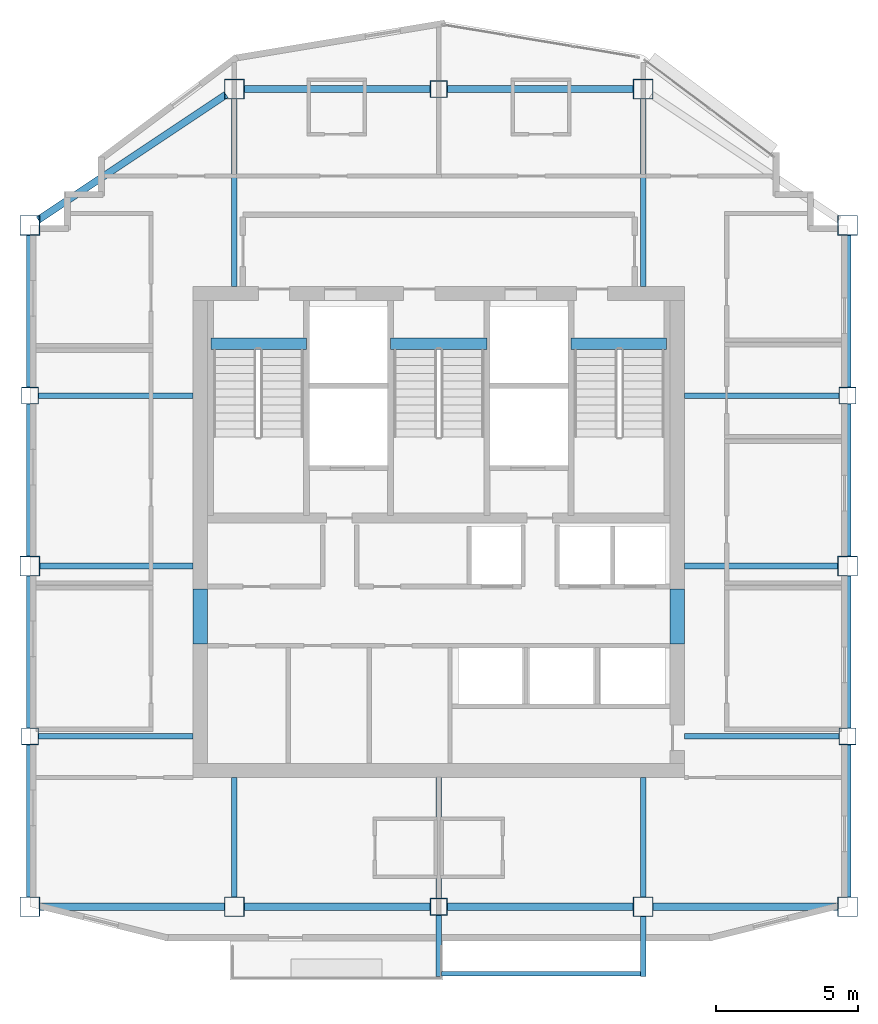
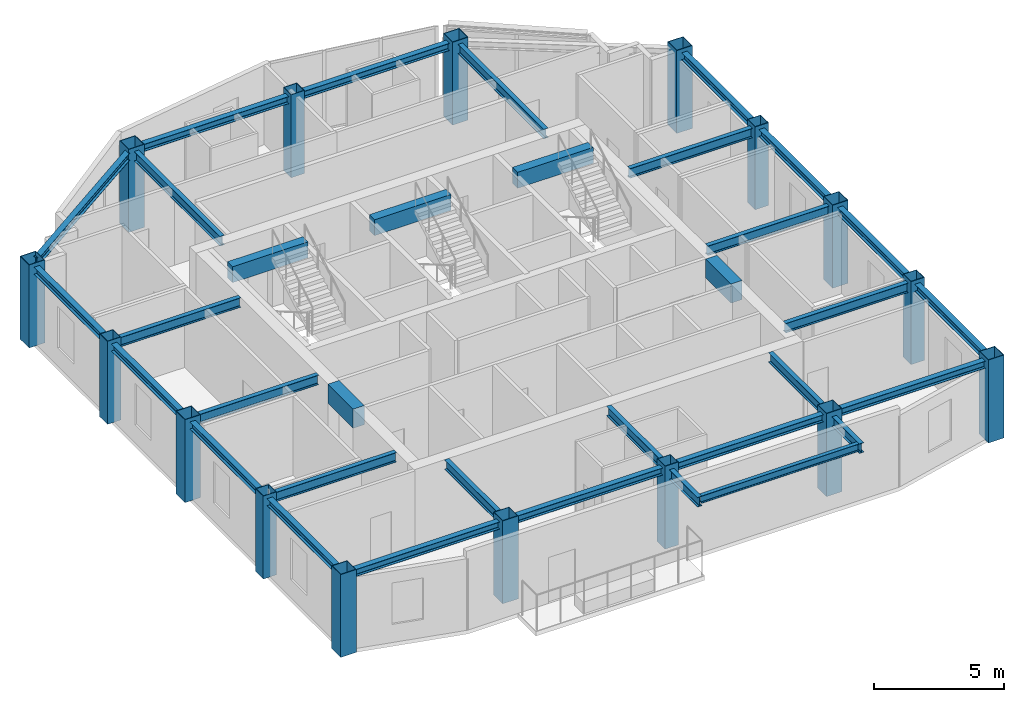
# One storey, part 1 of 9: 34 beams, 16 columns.
"""IFC4 building model written with IfcOpenShell, lengths in metres."""

from ifc_helpers import new_model, si_unit, direction, frame, origin, origin_2d, place, context, subcontext, project, spatial, rectangle, hollow_rectangle, i_section, extrude, material, material_profile, profile_set, type_object, element, save


model = new_model("IFC4")

# Units and contexts
model_context = context("Model", 3, precision=1e-05, world=origin(), true_north=direction((0.0, 1.0)))
body_context = subcontext(model_context, "Body", "Model", "MODEL_VIEW")
ifc_project = project(units=[si_unit("LENGTHUNIT", "METRE"), si_unit("AREAUNIT", "SQUARE_METRE"), si_unit("VOLUMEUNIT", "CUBIC_METRE"), si_unit("PLANEANGLEUNIT", "RADIAN"), si_unit("MASSUNIT", "GRAM", prefix="KILO")], contexts=[model_context])

# Site, building, storey
site_placement = place(None, origin())
site = spatial("IfcSite", under=ifc_project, at=site_placement, CompositionType="ELEMENT")
building_placement = place(site_placement, origin())
building = spatial("IfcBuilding", under=site, at=building_placement, Name="Haolan Belvedere Tower", CompositionType="ELEMENT")
storey_placement = place(building_placement, frame((0.0, 0.0, 290.0)))
storey = spatial("IfcBuildingStorey", under=building, at=storey_placement, Name="L73", CompositionType="ELEMENT", Elevation=290.0)

# Columns
ifc_material_1 = material(Name="Steel Q390GJC", Category="steel")
ifc_material_profile_1 = material_profile(ifc_material_1, hollow_rectangle(XDim=0.60009765625, YDim=0.60009765625, WallThickness=0.02392578125, at=origin_2d()), Name="Steel Q390GJC")
ifc_profile_set_1 = profile_set([ifc_material_profile_1], Name="Steel Q390GJC")
column_type_1 = type_object("IfcColumnType", Name="COL-BOX600x600x24", PredefinedType="COLUMN", material=ifc_profile_set_1)
for number, where, z_axis, x_axis, name in (
    (1, (24.0, 27.60009765625, 0.0), (0.0, 0.0, 1.0), (1.0, 0.0, 0.0), "L73 column TC-T3-W1 (BOX600x600x24)"),
    (2, (24.0, 39.60009765625, 0.0), (0.0, 0.0, 1.0), (1.0, 0.0, 0.0), "L73 column TC-T3-W2 (BOX600x600x24)"),
    (3, (52.800048828125, 27.60009765625, 0.0), (0.0, 0.0, 1.0), (1.0, 0.0, 0.0), "L73 column TC-T3-E1 (BOX600x600x24)"),
    (4, (52.800048828125, 39.60009765625, 0.0), (0.0, 0.0, 1.0), (1.0, 0.0, 0.0), "L73 column TC-T3-E2 (BOX600x600x24)"),
    (5, (38.39990234375, 21.60009765625, 0.0), (0.0, 0.0, 1.0), (1.0, 0.0, 0.0), "L73 column TC-T3-SM (BOX600x600x24)"),
    (6, (38.39990234375, 50.39990234375, 0.0), (0.0, 0.0, 1.0), (1.0, 0.0, 0.0), "L73 column TC-T3-NM (BOX600x600x24)"),
):
    element("IfcColumn", number, at=place(storey_placement, frame(where, z_axis=z_axis, x_axis=x_axis)), inside=storey, type_object=column_type_1, Name=name, PredefinedType="COLUMN", context=body_context, shape_type="SweptSolid", body=[
        extrude(hollow_rectangle(XDim=0.60009765625, YDim=0.60009765625, WallThickness=0.02392578125, at=origin_2d()), origin(), (0.0, 0.0, 1.0), 3.89990234375),
    ])
ifc_material_profile_2 = material_profile(ifc_material_1, hollow_rectangle(XDim=0.699951171875, YDim=0.699951171875, WallThickness=0.02587890625, at=origin_2d()), Name="Steel Q390GJC")
ifc_profile_set_2 = profile_set([ifc_material_profile_2], Name="Steel Q390GJC")
column_type_2 = type_object("IfcColumnType", Name="COL-BOX700x700x26", PredefinedType="COLUMN", material=ifc_profile_set_2)
for number, where, z_axis, x_axis, name in (
    (7, (24.0, 21.60009765625, 0.0), (0.0, 0.0, 1.0), (1.0, 0.0, 0.0), "L73 column MC-T3-SW (BOX700x700x26)"),
    (8, (24.0, 33.60009765625, 0.0), (0.0, 0.0, 1.0), (1.0, 0.0, 0.0), "L73 column MC-T3-MW (BOX700x700x26)"),
    (9, (24.0, 45.60009765625, 0.0), (0.0, 0.0, 1.0), (1.0, 0.0, 0.0), "L73 column MC-T3-NW (BOX700x700x26)"),
    (10, (52.800048828125, 21.60009765625, 0.0), (0.0, 0.0, 1.0), (1.0, 0.0, 0.0), "L73 column MC-T3-SE (BOX700x700x26)"),
    (11, (52.800048828125, 33.60009765625, 0.0), (0.0, 0.0, 1.0), (1.0, 0.0, 0.0), "L73 column MC-T3-ME (BOX700x700x26)"),
    (12, (52.800048828125, 45.60009765625, 0.0), (0.0, 0.0, 1.0), (1.0, 0.0, 0.0), "L73 column MC-T3-NE (BOX700x700x26)"),
    (13, (31.199951171875, 21.60009765625, 0.0), (0.0, 0.0, 1.0), (1.0, 0.0, 0.0), "L73 column MC-T3-S1 (BOX700x700x26)"),
    (14, (45.60009765625, 21.60009765625, 0.0), (0.0, 0.0, 1.0), (1.0, 0.0, 0.0), "L73 column MC-T3-S2 (BOX700x700x26)"),
    (15, (31.199951171875, 50.39990234375, 0.0), (0.0, 0.0, 1.0), (1.0, 0.0, 0.0), "L73 column MC-T3-N1 (BOX700x700x26)"),
    (16, (45.60009765625, 50.39990234375, 0.0), (0.0, 0.0, 1.0), (1.0, 0.0, 0.0), "L73 column MC-T3-N2 (BOX700x700x26)"),
):
    element("IfcColumn", number, at=place(storey_placement, frame(where, z_axis=z_axis, x_axis=x_axis)), inside=storey, type_object=column_type_2, Name=name, PredefinedType="COLUMN", context=body_context, shape_type="SweptSolid", body=[
        extrude(hollow_rectangle(XDim=0.699951171875, YDim=0.699951171875, WallThickness=0.02587890625, at=origin_2d()), origin(), (0.0, 0.0, 1.0), 3.89990234375),
    ])

# Beams
ifc_material_2 = material(Name="Steel Q355B", Category="steel")
ifc_material_profile_3 = material_profile(ifc_material_2, i_section(OverallWidth=0.25, OverallDepth=0.340087890625, WebThickness=0.009033203125, FlangeThickness=0.013916015625, FilletRadius=0.02001953125, at=origin_2d()), Name="Steel Q355B")
ifc_profile_set_3 = profile_set([ifc_material_profile_3], Name="Steel Q355B")
beam_type_1 = type_object("IfcBeamType", Name="BM-HM340x250x9x14", PredefinedType="SPANDREL", material=ifc_profile_set_3)
for number, where, z_axis, x_axis, name in (
    (17, (24.0, 21.949951171875, 3.550048828125), (0.0, 1.0, 0.0), (-1.0, 0.0, 0.0), "L73 spandrel girder MC-T3-SW-TC-T3-W1"),
    (18, (24.0, 27.89990234375, 3.550048828125), (0.0, 1.0, 0.0), (-1.0, 0.0, 0.0), "L73 spandrel girder TC-T3-W1-MC-T3-MW"),
    (19, (24.0, 33.949951171875, 3.550048828125), (0.0, 1.0, 0.0), (-1.0, 0.0, 0.0), "L73 spandrel girder MC-T3-MW-TC-T3-W2"),
    (20, (24.0, 39.89990234375, 3.550048828125), (0.0, 1.0, 0.0), (-1.0, 0.0, 0.0), "L73 spandrel girder TC-T3-W2-MC-T3-NW"),
    (21, (52.800048828125, 21.949951171875, 3.550048828125), (0.0, 1.0, 0.0), (-1.0, 0.0, 0.0), "L73 spandrel girder MC-T3-SE-TC-T3-E1"),
    (22, (52.800048828125, 27.89990234375, 3.550048828125), (0.0, 1.0, 0.0), (-1.0, 0.0, 0.0), "L73 spandrel girder TC-T3-E1-MC-T3-ME"),
    (23, (52.800048828125, 33.949951171875, 3.550048828125), (0.0, 1.0, 0.0), (-1.0, 0.0, 0.0), "L73 spandrel girder MC-T3-ME-TC-T3-E2"),
    (24, (52.800048828125, 39.89990234375, 3.550048828125), (0.0, 1.0, 0.0), (-1.0, 0.0, 0.0), "L73 spandrel girder TC-T3-E2-MC-T3-NE"),
):
    element("IfcBeam", number, at=place(storey_placement, frame(where, z_axis=z_axis, x_axis=x_axis)), inside=storey, type_object=beam_type_1, Name=name, PredefinedType="SPANDREL", context=body_context, shape_type="SweptSolid", body=[
        extrude(i_section(OverallWidth=0.25, OverallDepth=0.340087890625, WebThickness=0.009033203125, FlangeThickness=0.013916015625, FilletRadius=0.02001953125, at=origin_2d()), origin(), (0.0, 0.0, 1.0), 5.35009765625),
    ])
beam_1_placement = place(storey_placement, frame((24.35009765625, 21.60009765625, 3.550048828125), z_axis=(1.0, 0.0, 0.0), x_axis=(0.0, 1.0, 0.0)))
element("IfcBeam", 25, at=beam_1_placement, inside=storey, type_object=beam_type_1, Name="L73 spandrel girder MC-T3-SW-MC-T3-S1", PredefinedType="SPANDREL", context=body_context, shape_type="SweptSolid", body=[
    extrude(i_section(OverallWidth=0.25, OverallDepth=0.340087890625, WebThickness=0.009033203125, FlangeThickness=0.013916015625, FilletRadius=0.02001953125, at=origin_2d()), origin(), (0.0, 0.0, 1.0), 6.5),
])
for number, where, z_axis, x_axis, name in (
    (26, (31.550048828125, 21.60009765625, 3.550048828125), (1.0, 0.0, 0.0), (0.0, 1.0, 0.0), "L73 spandrel girder MC-T3-S1-TC-T3-SM"),
    (27, (38.699951171875, 21.60009765625, 3.550048828125), (1.0, 0.0, 0.0), (0.0, 1.0, 0.0), "L73 spandrel girder TC-T3-SM-MC-T3-S2"),
):
    element("IfcBeam", number, at=place(storey_placement, frame(where, z_axis=z_axis, x_axis=x_axis)), inside=storey, type_object=beam_type_1, Name=name, PredefinedType="SPANDREL", context=body_context, shape_type="SweptSolid", body=[
        extrude(i_section(OverallWidth=0.25, OverallDepth=0.340087890625, WebThickness=0.009033203125, FlangeThickness=0.013916015625, FilletRadius=0.02001953125, at=origin_2d()), origin(), (0.0, 0.0, 1.0), 6.550048828125),
    ])
beam_2_placement = place(storey_placement, frame((45.949951171875, 21.60009765625, 3.550048828125), z_axis=(1.0, 0.0, 0.0), x_axis=(0.0, 1.0, 0.0)))
element("IfcBeam", 28, at=beam_2_placement, inside=storey, type_object=beam_type_1, Name="L73 spandrel girder MC-T3-S2-MC-T3-SE", PredefinedType="SPANDREL", context=body_context, shape_type="SweptSolid", body=[
    extrude(i_section(OverallWidth=0.25, OverallDepth=0.340087890625, WebThickness=0.009033203125, FlangeThickness=0.013916015625, FilletRadius=0.02001953125, at=origin_2d()), origin(), (0.0, 0.0, 1.0), 6.5),
])
beam_3_placement = place(storey_placement, frame((24.291259765625, 45.794189453125, 3.550048828125), z_axis=(0.832050294338, 0.554700196225, 0.0), x_axis=(-0.554700196225, 0.832050294338, 0.0)))
element("IfcBeam", 29, at=beam_3_placement, inside=storey, type_object=beam_type_1, Name="L73 spandrel girder MC-T3-NW-MC-T3-N1", PredefinedType="SPANDREL", context=body_context, shape_type="SweptSolid", body=[
    extrude(i_section(OverallWidth=0.25, OverallDepth=0.340087890625, WebThickness=0.009033203125, FlangeThickness=0.013916015625, FilletRadius=0.02001953125, at=origin_2d()), origin(), (0.0, 0.0, 1.0), 7.953125),
])
for number, where, z_axis, x_axis, name in (
    (30, (31.550048828125, 50.39990234375, 3.550048828125), (1.0, 0.0, 0.0), (0.0, 1.0, 0.0), "L73 spandrel girder MC-T3-N1-TC-T3-NM"),
    (31, (38.699951171875, 50.39990234375, 3.550048828125), (1.0, 0.0, 0.0), (0.0, 1.0, 0.0), "L73 spandrel girder TC-T3-NM-MC-T3-N2"),
):
    element("IfcBeam", number, at=place(storey_placement, frame(where, z_axis=z_axis, x_axis=x_axis)), inside=storey, type_object=beam_type_1, Name=name, PredefinedType="SPANDREL", context=body_context, shape_type="SweptSolid", body=[
        extrude(i_section(OverallWidth=0.25, OverallDepth=0.340087890625, WebThickness=0.009033203125, FlangeThickness=0.013916015625, FilletRadius=0.02001953125, at=origin_2d()), origin(), (0.0, 0.0, 1.0), 6.550048828125),
    ])
ifc_material_profile_4 = material_profile(ifc_material_2, i_section(OverallWidth=0.175048828125, OverallDepth=0.35009765625, WebThickness=0.007080078125, FlangeThickness=0.010986328125, FilletRadius=0.012939453125, at=origin_2d()), Name="Steel Q355B")
ifc_profile_set_4 = profile_set([ifc_material_profile_4], Name="Steel Q355B")
beam_type_2 = type_object("IfcBeamType", Name="BM-HN350x175x7x11", PredefinedType="JOIST", material=ifc_profile_set_4)
beam_4_placement = place(storey_placement, frame((38.5, 19.239990234375, 3.4951171875), z_axis=(1.0, 0.0, 0.0), x_axis=(0.0, 1.0, 0.0)))
element("IfcBeam", 32, at=beam_4_placement, inside=storey, type_object=beam_type_2, Name="L74 tree-balcony front trimmer beam 1", PredefinedType="BEAM", context=body_context, shape_type="SweptSolid", body=[
    extrude(i_section(OverallWidth=0.175048828125, OverallDepth=0.35009765625, WebThickness=0.007080078125, FlangeThickness=0.010986328125, FilletRadius=0.012939453125, at=origin_2d()), origin(), (0.0, 0.0, 1.0), 7.0),
])
ifc_material_profile_5 = material_profile(ifc_material_2, i_section(OverallWidth=0.199951171875, OverallDepth=0.449951171875, WebThickness=0.009033203125, FlangeThickness=0.013916015625, FilletRadius=0.01611328125, at=origin_2d()), Name="Steel Q355B")
ifc_profile_set_5 = profile_set([ifc_material_profile_5], Name="Steel Q355B")
beam_type_3 = type_object("IfcBeamType", Name="BM-HN450x200x9x14", PredefinedType="BEAM", material=ifc_profile_set_5)
beam_5_placement = place(storey_placement, frame((24.35009765625, 33.60009765625, 3.4951171875), z_axis=(1.0, 0.0, 0.0), x_axis=(0.0, 1.0, 0.0)))
element("IfcBeam", 33, at=beam_5_placement, inside=storey, type_object=beam_type_3, Name="L73 core tie beam from MC-T3-MW", PredefinedType="BEAM", context=body_context, shape_type="SweptSolid", body=[
    extrude(i_section(OverallWidth=0.199951171875, OverallDepth=0.449951171875, WebThickness=0.009033203125, FlangeThickness=0.013916015625, FilletRadius=0.01611328125, at=origin_2d()), origin(), (0.0, 0.0, 1.0), 5.39990234375),
])
for number, where, z_axis, x_axis, name in (
    (34, (24.300048828125, 27.60009765625, 3.4951171875), (1.0, 0.0, 0.0), (0.0, 1.0, 0.0), "L73 core tie beam from TC-T3-W1"),
    (35, (24.300048828125, 39.60009765625, 3.4951171875), (1.0, 0.0, 0.0), (0.0, 1.0, 0.0), "L73 core tie beam from TC-T3-W2"),
):
    element("IfcBeam", number, at=place(storey_placement, frame(where, z_axis=z_axis, x_axis=x_axis)), inside=storey, type_object=beam_type_3, Name=name, PredefinedType="BEAM", context=body_context, shape_type="SweptSolid", body=[
        extrude(i_section(OverallWidth=0.199951171875, OverallDepth=0.449951171875, WebThickness=0.009033203125, FlangeThickness=0.013916015625, FilletRadius=0.01611328125, at=origin_2d()), origin(), (0.0, 0.0, 1.0), 5.449951171875),
    ])
beam_6_placement = place(storey_placement, frame((52.449951171875, 33.60009765625, 3.4951171875), z_axis=(-1.0, 0.0, 0.0), x_axis=(0.0, -1.0, 0.0)))
element("IfcBeam", 36, at=beam_6_placement, inside=storey, type_object=beam_type_3, Name="L73 core tie beam from MC-T3-ME", PredefinedType="BEAM", context=body_context, shape_type="SweptSolid", body=[
    extrude(i_section(OverallWidth=0.199951171875, OverallDepth=0.449951171875, WebThickness=0.009033203125, FlangeThickness=0.013916015625, FilletRadius=0.01611328125, at=origin_2d()), origin(), (0.0, 0.0, 1.0), 5.39990234375),
])
for number, where, z_axis, x_axis, name in (
    (37, (52.5, 27.60009765625, 3.4951171875), (-1.0, 0.0, 0.0), (0.0, -1.0, 0.0), "L73 core tie beam from TC-T3-E1"),
    (38, (52.5, 39.60009765625, 3.4951171875), (-1.0, 0.0, 0.0), (0.0, -1.0, 0.0), "L73 core tie beam from TC-T3-E2"),
):
    element("IfcBeam", number, at=place(storey_placement, frame(where, z_axis=z_axis, x_axis=x_axis)), inside=storey, type_object=beam_type_3, Name=name, PredefinedType="BEAM", context=body_context, shape_type="SweptSolid", body=[
        extrude(i_section(OverallWidth=0.199951171875, OverallDepth=0.449951171875, WebThickness=0.009033203125, FlangeThickness=0.013916015625, FilletRadius=0.01611328125, at=origin_2d()), origin(), (0.0, 0.0, 1.0), 5.449951171875),
    ])
beam_7_placement = place(storey_placement, frame((31.199951171875, 21.949951171875, 3.4951171875), z_axis=(0.0, 1.0, 0.0), x_axis=(-1.0, 0.0, 0.0)))
element("IfcBeam", 39, at=beam_7_placement, inside=storey, type_object=beam_type_3, Name="L73 core tie beam from MC-T3-S1", PredefinedType="BEAM", context=body_context, shape_type="SweptSolid", body=[
    extrude(i_section(OverallWidth=0.199951171875, OverallDepth=0.449951171875, WebThickness=0.009033203125, FlangeThickness=0.013916015625, FilletRadius=0.01611328125, at=origin_2d()), origin(), (0.0, 0.0, 1.0), 4.199951171875),
])
beam_8_placement = place(storey_placement, frame((38.39990234375, 21.89990234375, 3.4951171875), z_axis=(0.0, 1.0, 0.0), x_axis=(-1.0, 0.0, 0.0)))
element("IfcBeam", 40, at=beam_8_placement, inside=storey, type_object=beam_type_3, Name="L73 core tie beam from TC-T3-SM", PredefinedType="BEAM", context=body_context, shape_type="SweptSolid", body=[
    extrude(i_section(OverallWidth=0.199951171875, OverallDepth=0.449951171875, WebThickness=0.009033203125, FlangeThickness=0.013916015625, FilletRadius=0.01611328125, at=origin_2d()), origin(), (0.0, 0.0, 1.0), 4.25),
])
beam_9_placement = place(storey_placement, frame((45.60009765625, 21.949951171875, 3.4951171875), z_axis=(0.0, 1.0, 0.0), x_axis=(-1.0, 0.0, 0.0)))
element("IfcBeam", 41, at=beam_9_placement, inside=storey, type_object=beam_type_3, Name="L73 core tie beam from MC-T3-S2", PredefinedType="BEAM", context=body_context, shape_type="SweptSolid", body=[
    extrude(i_section(OverallWidth=0.199951171875, OverallDepth=0.449951171875, WebThickness=0.009033203125, FlangeThickness=0.013916015625, FilletRadius=0.01611328125, at=origin_2d()), origin(), (0.0, 0.0, 1.0), 4.199951171875),
])
for number, where, z_axis, x_axis, name in (
    (42, (31.199951171875, 50.050048828125, 3.4951171875), (0.0, -1.0, 0.0), (1.0, 0.0, 0.0), "L73 core tie beam from MC-T3-N1"),
    (43, (45.60009765625, 50.050048828125, 3.4951171875), (0.0, -1.0, 0.0), (1.0, 0.0, 0.0), "L73 core tie beam from MC-T3-N2"),
):
    element("IfcBeam", number, at=place(storey_placement, frame(where, z_axis=z_axis, x_axis=x_axis)), inside=storey, type_object=beam_type_3, Name=name, PredefinedType="BEAM", context=body_context, shape_type="SweptSolid", body=[
        extrude(i_section(OverallWidth=0.199951171875, OverallDepth=0.449951171875, WebThickness=0.009033203125, FlangeThickness=0.013916015625, FilletRadius=0.01611328125, at=origin_2d()), origin(), (0.0, 0.0, 1.0), 6.60009765625),
    ])
beam_10_placement = place(storey_placement, frame((38.39990234375, 21.300048828125, 3.445068359375), z_axis=(0.0, -1.0, 0.0), x_axis=(1.0, 0.0, 0.0)))
element("IfcBeam", 44, at=beam_10_placement, inside=storey, type_object=beam_type_3, Name="L74 tree-balcony column cantilever TC-T3-SM", PredefinedType="BEAM", context=body_context, shape_type="SweptSolid", body=[
    extrude(i_section(OverallWidth=0.199951171875, OverallDepth=0.449951171875, WebThickness=0.009033203125, FlangeThickness=0.013916015625, FilletRadius=0.01611328125, at=origin_2d()), origin(), (0.0, 0.0, 1.0), 2.16015625),
])
beam_11_placement = place(storey_placement, frame((45.60009765625, 21.25, 3.445068359375), z_axis=(0.0, -1.0, 0.0), x_axis=(1.0, 0.0, 0.0)))
element("IfcBeam", 45, at=beam_11_placement, inside=storey, type_object=beam_type_3, Name="L74 tree-balcony column cantilever MC-T3-S2", PredefinedType="BEAM", context=body_context, shape_type="SweptSolid", body=[
    extrude(i_section(OverallWidth=0.199951171875, OverallDepth=0.449951171875, WebThickness=0.009033203125, FlangeThickness=0.013916015625, FilletRadius=0.01611328125, at=origin_2d()), origin(), (0.0, 0.0, 1.0), 2.110107421875),
])
ifc_material_3 = material(Name="Concrete C50/60", Category="concrete")
ifc_material_profile_6 = material_profile(ifc_material_3, rectangle(XDim=0.39990234375, YDim=0.75, at=origin_2d()), Name="Concrete C50/60")
ifc_profile_set_6 = profile_set([ifc_material_profile_6], Name="Concrete C50/60")
beam_type_4 = type_object("IfcBeamType", Name="BM-RC400x750", PredefinedType="T_BEAM", material=ifc_profile_set_6)
beam_12_placement = place(storey_placement, frame((30.3798828125, 41.429931640625, 3.52490234375), z_axis=(1.0, 0.0, 0.0), x_axis=(0.0, 1.0, 0.0)))
element("IfcBeam", 46, at=beam_12_placement, inside=storey, type_object=beam_type_4, Name="L74 stair ST1 RC header trimmer beam", PredefinedType="BEAM", context=body_context, shape_type="SweptSolid", body=[
    extrude(rectangle(XDim=0.39990234375, YDim=0.75, at=origin_2d()), origin(), (0.0, 0.0, 1.0), 3.360107421875),
])
beam_13_placement = place(storey_placement, frame((36.699951171875, 41.429931640625, 3.52490234375), z_axis=(1.0, 0.0, 0.0), x_axis=(0.0, 1.0, 0.0)))
element("IfcBeam", 47, at=beam_13_placement, inside=storey, type_object=beam_type_4, Name="L74 stair ST3 RC header trimmer beam", PredefinedType="BEAM", context=body_context, shape_type="SweptSolid", body=[
    extrude(rectangle(XDim=0.39990234375, YDim=0.75, at=origin_2d()), origin(), (0.0, 0.0, 1.0), 3.400146484375),
])
beam_14_placement = place(storey_placement, frame((43.06005859375, 41.429931640625, 3.52490234375), z_axis=(1.0, 0.0, 0.0), x_axis=(0.0, 1.0, 0.0)))
element("IfcBeam", 48, at=beam_14_placement, inside=storey, type_object=beam_type_4, Name="L74 stair ST2 RC header trimmer beam", PredefinedType="BEAM", context=body_context, shape_type="SweptSolid", body=[
    extrude(rectangle(XDim=0.39990234375, YDim=0.75, at=origin_2d()), origin(), (0.0, 0.0, 1.0), 3.35986328125),
])
ifc_material_4 = material(Name="Concrete C60/75", Category="concrete")
ifc_material_profile_7 = material_profile(ifc_material_4, rectangle(XDim=0.5, YDim=0.89990234375, at=origin_2d()), Name="Concrete C60/75")
ifc_profile_set_7 = profile_set([ifc_material_profile_7], Name="Concrete C60/75")
beam_type_5 = type_object("IfcBeamType", Name="BM-RC500x900", PredefinedType="LINTEL", material=ifc_profile_set_7)
for number, where, z_axis, x_axis, name in (
    (49, (30.0, 30.85009765625, 3.27001953125), (0.0, 1.0, 0.0), (-1.0, 0.0, 0.0), "L73 west core coupling beam CB-01"),
    (50, (46.800048828125, 30.85009765625, 3.27001953125), (0.0, 1.0, 0.0), (-1.0, 0.0, 0.0), "L73 east core coupling beam CB-01"),
):
    element("IfcBeam", number, at=place(storey_placement, frame(where, z_axis=z_axis, x_axis=x_axis)), inside=storey, type_object=beam_type_5, Name=name, PredefinedType="LINTEL", context=body_context, shape_type="SweptSolid", body=[
        extrude(rectangle(XDim=0.5, YDim=0.89990234375, at=origin_2d()), origin(), (0.0, 0.0, 1.0), 1.949951171875),
    ])

save(model, "model.ifc")
